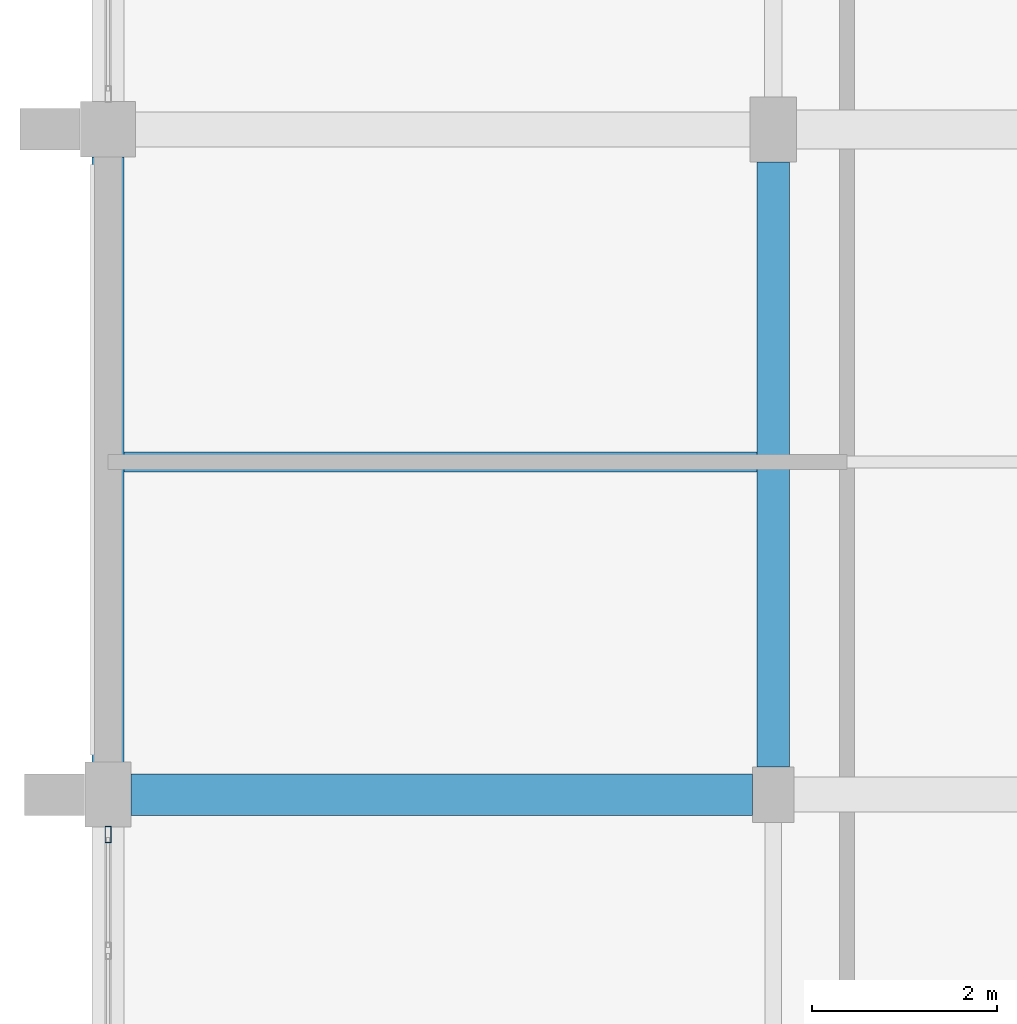
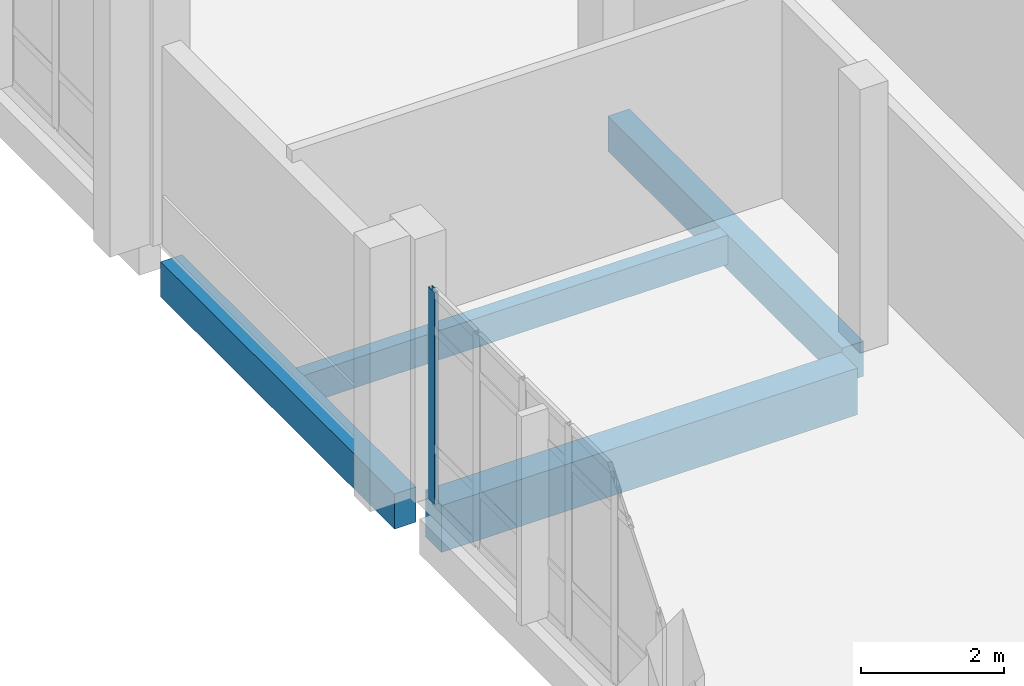
# One storey, part 18 of 57: 4 beams, 1 member, 1 element without a shape of its own.
"""IFC4 building model written with IfcOpenShell, lengths in metres."""

from ifc_helpers import new_model, si_unit, direction, frame, origin, origin_2d, place, context, subcontext, project, spatial, rectangle, hollow_rectangle, extrude, material, material_profile, profile_set, type_object, element, aggregate, save


model = new_model("IFC4")

# Units and contexts
model_context = context("Model", 3, precision=1e-05, world=origin(), true_north=direction((0.0, 1.0)))
body_context = subcontext(model_context, "Body", "Model", "MODEL_VIEW")
ifc_project = project(units=[si_unit("LENGTHUNIT", "METRE"), si_unit("AREAUNIT", "SQUARE_METRE"), si_unit("VOLUMEUNIT", "CUBIC_METRE"), si_unit("PLANEANGLEUNIT", "RADIAN"), si_unit("MASSUNIT", "GRAM", prefix="KILO")], contexts=[model_context])

# Site, building, storey
site_placement = place(None, origin())
site = spatial("IfcSite", under=ifc_project, at=site_placement, CompositionType="ELEMENT")
building_placement = place(site_placement, origin())
building = spatial("IfcBuilding", under=site, at=building_placement, Name="Kalluvel Institute of Natural Sciences", CompositionType="ELEMENT")
storey_placement = place(building_placement, frame((0.0, 0.0, 23.39990234375)))
storey = spatial("IfcBuildingStorey", under=building, at=storey_placement, Name="L05", CompositionType="ELEMENT", Elevation=23.39990234375)

# Beams
ifc_material_1 = material(Name="Concrete M40", Category="concrete")
ifc_material_profile_1 = material_profile(ifc_material_1, rectangle(XDim=0.35009765625, YDim=0.60009765625, at=origin_2d()), Name="RCB 350x600")
ifc_profile_set_1 = profile_set([ifc_material_profile_1], Name="Concrete M40")
beam_type_1 = type_object("IfcBeamType", Name="BM-RC350x600", PredefinedType="BEAM", material=ifc_profile_set_1)
beam_1_placement = place(storey_placement, frame((21.199951171875, 79.10009765625, -0.599853515625), z_axis=(0.0, 1.0, 0.0), x_axis=(-1.0, 0.0, 0.0)))
element("IfcBeam", 1, at=beam_1_placement, inside=storey, type_object=beam_type_1, Name="L05 girder GIR-L05-NS-X212-Y788", PredefinedType="BEAM", context=body_context, shape_type="SweptSolid", body=[
    extrude(rectangle(XDim=0.35009765625, YDim=0.60009765625, at=origin_2d()), origin(), (0.0, 0.0, 1.0), 6.5498046875),
])
ifc_material_profile_2 = material_profile(ifc_material_1, rectangle(XDim=0.449951171875, YDim=0.800048828125, at=origin_2d()), Name="RCB 450x800")
ifc_profile_set_2 = profile_set([ifc_material_profile_2], Name="Concrete M40")
beam_type_2 = type_object("IfcBeamType", Name="BM-RC450x800", PredefinedType="BEAM", material=ifc_profile_set_2)
beam_2_placement = place(storey_placement, frame((14.25, 78.800048828125, -0.699951171875), z_axis=(1.0, 0.0, 0.0), x_axis=(0.0, 1.0, 0.0)))
element("IfcBeam", 2, at=beam_2_placement, inside=storey, type_object=beam_type_2, Name="L05 girder GIR-L05-EW-X140-Y788", PredefinedType="BEAM", context=body_context, shape_type="SweptSolid", body=[
    extrude(rectangle(XDim=0.449951171875, YDim=0.800048828125, at=origin_2d()), origin(), (0.0, 0.0, 1.0), 6.72509765625),
])

# Curtain wall, member
ifc_material_2 = material(Name="Aluminium AW-6063 T6", Category="aluminium")
curtain_wall_type = type_object("IfcCurtainWallType", Name="CW-DRY-45", PredefinedType="USERDEFINED", material=ifc_material_2)
curtain_wall_placement = place(storey_placement, origin())
curtain_wall = element("IfcCurtainWall", 3, at=curtain_wall_placement, inside=storey, type_object=curtain_wall_type, Name="L05 Gothic lancet curtain wall CWA-L05-X140-Y720", ObjectType="UNITISED LANCET FACADE", PredefinedType="USERDEFINED")
ifc_material_profile_3 = material_profile(ifc_material_2, hollow_rectangle(XDim=0.06494140625, YDim=0.179931640625, WallThickness=0.00439453125, at=origin_2d()), Name="CWM 65x180")
ifc_profile_set_3 = profile_set([ifc_material_profile_3], Name="Aluminium AW-6063 T6")
member_type = type_object("IfcMemberType", Name="CWM-65x180", PredefinedType="MULLION", material=ifc_profile_set_3)
member_placement = place(storey_placement, frame((14.0, 78.367431640625, 0.0), z_axis=(0.0, 0.0, 1.0), x_axis=(-1.0, 0.0, 0.0)))
member = element("IfcMember", 4, at=member_placement, type_object=member_type, Name="CW-03 mullion 6", PredefinedType="MULLION", context=body_context, shape_type="SweptSolid", body=[
    extrude(hollow_rectangle(XDim=0.06494140625, YDim=0.179931640625, WallThickness=0.00439453125, at=origin_2d()), origin(), (0.0, 0.0, 1.0), 3.6201171875),
])
aggregate(curtain_wall, [member])

# Beams
ifc_material_profile_4 = material_profile(ifc_material_1, rectangle(XDim=0.35009765625, YDim=0.60009765625, at=origin_2d()), Name="RCB 350x600")
ifc_profile_set_4 = profile_set([ifc_material_profile_4], Name="Concrete M40")
beam_type_3 = type_object("IfcBeamType", Name="SP-RC350x600", PredefinedType="SPANDREL", material=ifc_profile_set_4)
beam_3_placement = place(storey_placement, frame((14.0, 79.14990234375, -0.599853515625), z_axis=(0.0, 1.0, 0.0), x_axis=(-1.0, 0.0, 0.0)))
element("IfcBeam", 5, at=beam_3_placement, inside=storey, type_object=beam_type_3, Name="L05 girder GIR-L05-NS-X140-Y788", PredefinedType="SPANDREL", context=body_context, shape_type="SweptSolid", body=[
    extrude(rectangle(XDim=0.35009765625, YDim=0.60009765625, at=origin_2d()), origin(), (0.0, 0.0, 1.0), 6.550048828125),
])
ifc_material_profile_5 = material_profile(ifc_material_1, rectangle(XDim=0.219970703125, YDim=0.5, at=origin_2d()), Name="WAF 220x500")
ifc_profile_set_5 = profile_set([ifc_material_profile_5], Name="Concrete M40")
beam_type_4 = type_object("IfcBeamType", Name="WJ-220x500", PredefinedType="JOIST", material=ifc_profile_set_5)
beam_4_placement = place(storey_placement, frame((14.175048828125, 82.39990234375, -0.5498046875), z_axis=(1.0, 0.0, 0.0), x_axis=(0.0, 1.0, 0.0)))
element("IfcBeam", 6, at=beam_4_placement, inside=storey, type_object=beam_type_4, Name="L05 floor rib RIB-L05-0752", PredefinedType="JOIST", context=body_context, shape_type="SweptSolid", body=[
    extrude(rectangle(XDim=0.219970703125, YDim=0.5, at=origin_2d()), origin(), (0.0, 0.0, 1.0), 6.849853515625),
])

save(model, "model.ifc")
